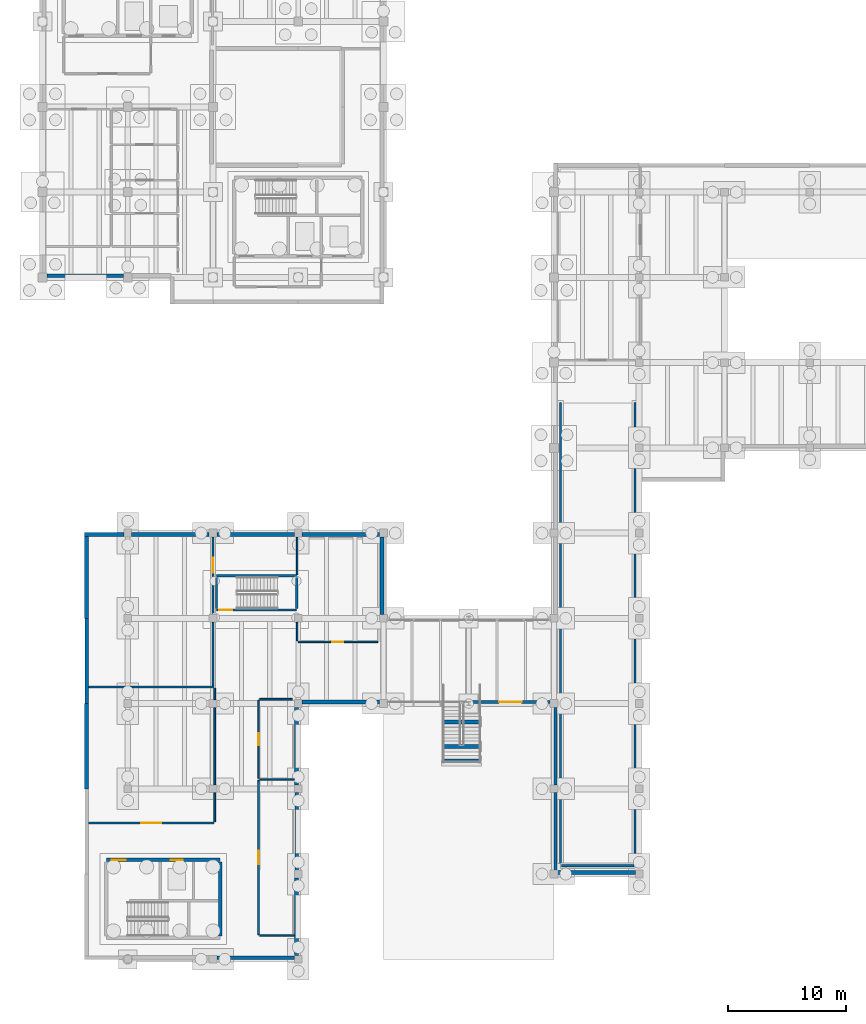
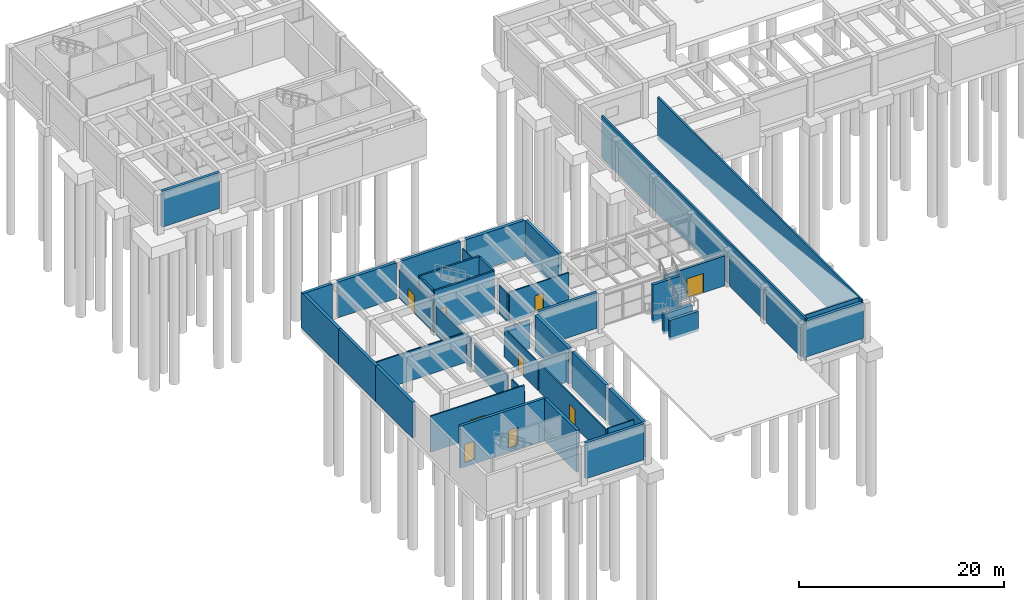
# One storey, part 17 of 28: 45 walls, 9 doors, 9 openings.
"""IFC4 building model written with IfcOpenShell, lengths in metres."""

from ifc_helpers import new_model, si_unit, direction, frame, frame_2d, origin, place, context, subcontext, project, spatial, rectangle, extrude, material, layer, layer_set, type_object, element, fill, save


model = new_model("IFC4")

# Units and contexts
model_context = context("Model", 3, precision=1e-05, world=origin(), true_north=direction((0.0, 1.0)))
body_context = subcontext(model_context, "Body", "Model", "MODEL_VIEW")
ifc_project = project(units=[si_unit("LENGTHUNIT", "METRE"), si_unit("AREAUNIT", "SQUARE_METRE"), si_unit("VOLUMEUNIT", "CUBIC_METRE"), si_unit("PLANEANGLEUNIT", "RADIAN"), si_unit("MASSUNIT", "GRAM", prefix="KILO")], contexts=[model_context])

# Site, building, storey
site_placement = place(None, origin())
site = spatial("IfcSite", under=ifc_project, at=site_placement, CompositionType="ELEMENT")
building_placement = place(site_placement, origin())
building = spatial("IfcBuilding", under=site, at=building_placement, Name="Bramvelor Terrace Health Centre", CompositionType="ELEMENT")
storey_placement = place(building_placement, frame((0.0, 0.0, -4.5)))
storey = spatial("IfcBuildingStorey", under=building, at=storey_placement, Name="B1", CompositionType="ELEMENT", Elevation=-4.5)

# Walls
ifc_material_1 = material(Name="Acoustic clinical partition board", Category="gypsum")
ifc_layer_1 = layer(ifc_material_1, 0.110107421875)
ifc_layer_set_1 = layer_set([ifc_layer_1], Name="Acoustic clinical partition board")
wall_type_1 = type_object("IfcWallType", Name="WL-CLN-110", PredefinedType="PARTITIONING", material=ifc_layer_set_1)
wall_1_placement = place(storey_placement, frame((21.284912109375, 30.800048828125, 0.0), z_axis=(0.0, 0.0, 1.0), x_axis=(-1.0, 0.0, 0.0)))
element("IfcWall", 1, at=wall_1_placement, inside=storey, type_object=wall_type_1, Name="B1 Interior Partition 36", PredefinedType="PARTITIONING", context=body_context, shape_type="SweptSolid", body=[
    extrude(rectangle(XDim=2.94482421875, YDim=0.110107421875, at=frame_2d((1.472412109375, 0.0))), origin(), (0.0, 0.0, 1.0), 3.550048828125),
])
ifc_material_2 = material(Name="Acoustic clinical partition board", Category="gypsum")
ifc_layer_2 = layer(ifc_material_2, 0.1201171875)
ifc_layer_set_2 = layer_set([ifc_layer_2], Name="Acoustic clinical partition board")
wall_type_2 = type_object("IfcWallType", Name="WL-CLN-120", PredefinedType="PARTITIONING", material=ifc_layer_set_2)
wall_2_placement = place(storey_placement, frame((18.342041015625, 44.0, 0.0), z_axis=(0.0, 0.0, 1.0), x_axis=(1.0, 0.0, 0.0)))
element("IfcWall", 2, at=wall_2_placement, inside=storey, type_object=wall_type_2, Name="B1 Interior Partition 35", PredefinedType="PARTITIONING", context=body_context, shape_type="SweptSolid", body=[
    extrude(rectangle(XDim=2.94287109375, YDim=0.1201171875, at=frame_2d((1.471435546875, 0.0))), origin(), (0.0, 0.0, 1.0), 3.550048828125),
])
ifc_material_3 = material(Name="Acoustic clinical partition board", Category="gypsum")
ifc_layer_3 = layer(ifc_material_3, 0.1298828125)
ifc_layer_set_3 = layer_set([ifc_layer_3], Name="Acoustic clinical partition board")
wall_type_3 = type_object("IfcWallType", Name="WL-CLN-130", PredefinedType="PARTITIONING", material=ifc_layer_set_3)
wall_3_placement = place(storey_placement, frame((21.5, 55.699951171875, 0.0), z_axis=(0.0, 0.0, 1.0), x_axis=(0.0, 1.0, 0.0)))
element("IfcWall", 3, at=wall_3_placement, inside=storey, type_object=wall_type_3, Name="B1 Interior Partition 40", PredefinedType="PARTITIONING", context=body_context, shape_type="SweptSolid", body=[
    extrude(rectangle(XDim=1.56005859375, YDim=0.1298828125, at=frame_2d((0.780029296875, 0.0))), origin(), (0.0, 0.0, 1.0), 3.39990234375),
])
wall_4_placement = place(storey_placement, frame((21.5, 61.29150390625, 0.0), z_axis=(0.0, 0.0, 1.0), x_axis=(0.0, 1.0, 0.0)))
element("IfcWall", 4, at=wall_4_placement, inside=storey, type_object=wall_type_3, Name="B1 Interior Partition 41", PredefinedType="PARTITIONING", context=body_context, shape_type="SweptSolid", body=[
    extrude(rectangle(XDim=3.158447265625, YDim=0.1298828125, at=frame_2d((1.5791015625, 0.0))), origin(), (0.0, 0.0, 1.0), 3.39990234375),
])

# Wall, opening, door
ifc_material_4 = material(Name="Fire-rated gypsum and mineral wool", Category="gypsum")
ifc_layer_4 = layer(ifc_material_4, 0.139892578125)
ifc_layer_set_4 = layer_set([ifc_layer_4], Name="Fire-rated gypsum and mineral wool")
wall_type_4 = type_object("IfcWallType", Name="WL-COR-140", PredefinedType="PARTITIONING", material=ifc_layer_set_4)
wall_5_placement = place(storey_placement, frame((18.25, 30.889892578125, 0.0), z_axis=(0.0, 0.0, 1.0), x_axis=(0.000150009374, 0.999999988749, 0.0)))
wall_5 = element("IfcWall", 5, at=wall_5_placement, inside=storey, type_object=wall_type_4, Name="B1 Interior Partition 34", PredefinedType="PARTITIONING", context=body_context, shape_type="SweptSolid", body=[
    extrude(rectangle(XDim=13.02001953125, YDim=0.139892578125, at=frame_2d((6.510009765625, 0.0))), origin(), (0.0, 0.0, 1.0), 3.39990234375),
])
opening_1_placement = place(wall_5_placement, frame((5.949951171875, 0.0, 0.0)))
opening_1 = element("IfcOpeningElement", 6, at=opening_1_placement, cuts=wall_5, Name="Opening FD-06", PredefinedType="OPENING", context=body_context, shape_type="SweptSolid", body=[
    extrude(rectangle(XDim=1.1201171875, YDim=2.139892578125, at=frame_2d((0.56005859375, 1.06982421875))), frame((0.0, 0.079833984375, 0.0), z_axis=(0.0, -1.0, 0.0), x_axis=(1.0, 0.0, 0.0)), (0.0, 0.0, 1.0), 0.159912109375),
])
ifc_material_5 = material(Name="Fire-rated steel and vision panel", Category="steel")
door_type_1 = type_object("IfcDoorType", Name="DR-FD60-112", OperationType="NOTDEFINED", PredefinedType="DOOR", material=ifc_material_5)
door_1_placement = place(opening_1_placement, origin())
door_1 = element("IfcDoor", 7, at=door_1_placement, inside=storey, type_object=door_type_1, Name="B1 Central Sterile Supply Decontamination Room Fire Door", OperationType="SINGLE_SWING_LEFT", OverallHeight=2.139892578125, OverallWidth=1.1201171875, PredefinedType="DOOR", context=body_context, shape_type="SweptSolid", body=[
    extrude(rectangle(XDim=1.1201171875, YDim=2.139892578125, at=frame_2d((0.56005859375, 1.06982421875))), frame((0.0, 0.02490234375, 0.0), z_axis=(0.0, -1.0, 0.0), x_axis=(1.0, 0.0, 0.0)), (0.0, 0.0, 1.0), 0.050048828125),
])
fill(opening_1, door_1)

wall_6_placement = place(storey_placement, frame((18.251953125, 44.10009765625, 0.0), z_axis=(0.0, 0.0, 1.0), x_axis=(0.0, 1.0, 0.0)))
wall_6 = element("IfcWall", 8, at=wall_6_placement, inside=storey, type_object=wall_type_4, Name="B1 Interior Partition 37", PredefinedType="PARTITIONING", context=body_context, shape_type="SweptSolid", body=[
    extrude(rectangle(XDim=6.56787109375, YDim=0.139892578125, at=frame_2d((3.283935546875, 0.0))), origin(), (0.0, 0.0, 1.0), 3.39990234375),
])
opening_2_placement = place(wall_6_placement, frame((2.763916015625, 0.0, 0.0)))
opening_2 = element("IfcOpeningElement", 9, at=opening_2_placement, cuts=wall_6, Name="Opening FD-07", PredefinedType="OPENING", context=body_context, shape_type="SweptSolid", body=[
    extrude(rectangle(XDim=1.0400390625, YDim=2.1201171875, at=frame_2d((0.52001953125, 1.06005859375))), frame((0.0, 0.079833984375, 0.0), z_axis=(0.0, -1.0, 0.0), x_axis=(1.0, 0.0, 0.0)), (0.0, 0.0, 1.0), 0.159912109375),
])
ifc_material_6 = material(Name="Fire-rated steel and vision panel", Category="steel")
door_type_2 = type_object("IfcDoorType", Name="DR-FD60-104", OperationType="NOTDEFINED", PredefinedType="DOOR", material=ifc_material_6)
door_2_placement = place(opening_2_placement, origin())
door_2 = element("IfcDoor", 10, at=door_2_placement, inside=storey, type_object=door_type_2, Name="B1 Sterile Autoclave and Instrument Packing Room Fire Door", OperationType="SINGLE_SWING_RIGHT", OverallHeight=2.1201171875, OverallWidth=1.0400390625, PredefinedType="DOOR", context=body_context, shape_type="SweptSolid", body=[
    extrude(rectangle(XDim=1.0400390625, YDim=2.1201171875, at=frame_2d((0.52001953125, 1.06005859375))), frame((0.0, 0.02490234375, 0.0), z_axis=(0.0, -1.0, 0.0), x_axis=(1.0, 0.0, 0.0)), (0.0, 0.0, 1.0), 0.050048828125),
])
fill(opening_2, door_2)

# Wall
wall_7_placement = place(storey_placement, frame((18.342041015625, 50.758056640625, 0.0), z_axis=(0.0, 0.0, 1.0), x_axis=(1.0, 0.0, 0.0)))
element("IfcWall", 11, at=wall_7_placement, inside=storey, type_object=wall_type_4, Name="B1 Interior Partition 38", PredefinedType="PARTITIONING", context=body_context, shape_type="SweptSolid", body=[
    extrude(rectangle(XDim=2.76806640625, YDim=0.139892578125, at=frame_2d((1.384033203125, 0.0))), origin(), (0.0, 0.0, 1.0), 3.39990234375),
])

# Wall, opening, door
wall_8_placement = place(storey_placement, frame((28.31005859375, 55.610107421875, 0.0), z_axis=(0.0, 0.0, 1.0), x_axis=(-1.0, 0.0, 0.0)))
wall_8 = element("IfcWall", 12, at=wall_8_placement, inside=storey, type_object=wall_type_4, Name="B1 Interior Partition 39", PredefinedType="PARTITIONING", context=body_context, shape_type="SweptSolid", body=[
    extrude(rectangle(XDim=6.719970703125, YDim=0.139892578125, at=frame_2d((3.35986328125, 0.0))), origin(), (0.0, 0.0, 1.0), 3.550048828125),
])
opening_3_placement = place(wall_8_placement, frame((2.889892578125, 0.0, 0.0)))
opening_3 = element("IfcOpeningElement", 13, at=opening_3_placement, cuts=wall_8, Name="Opening FD-08", PredefinedType="OPENING", context=body_context, shape_type="SweptSolid", body=[
    extrude(rectangle(XDim=0.93994140625, YDim=2.10009765625, at=frame_2d((0.469970703125, 1.050048828125))), frame((0.0, 0.079833984375, 0.0), z_axis=(0.0, -1.0, 0.0), x_axis=(1.0, 0.0, 0.0)), (0.0, 0.0, 1.0), 0.159912109375),
])
ifc_material_7 = material(Name="Fire-rated steel and vision panel", Category="steel")
door_type_3 = type_object("IfcDoorType", Name="DR-FD60-094", OperationType="NOTDEFINED", PredefinedType="DOOR", material=ifc_material_7)
door_3_placement = place(opening_3_placement, origin())
door_3 = element("IfcDoor", 14, at=door_3_placement, inside=storey, type_object=door_type_3, Name="B1 Bulk Pharmacy Cold-Chain Store Fire Door", OperationType="SINGLE_SWING_LEFT", OverallHeight=2.10009765625, OverallWidth=0.93994140625, PredefinedType="DOOR", context=body_context, shape_type="SweptSolid", body=[
    extrude(rectangle(XDim=0.93994140625, YDim=2.10009765625, at=frame_2d((0.469970703125, 1.050048828125))), frame((0.0, 0.02490234375, 0.0), z_axis=(0.0, -1.0, 0.0), x_axis=(1.0, 0.0, 0.0)), (0.0, 0.0, 1.0), 0.050048828125),
])
fill(opening_3, door_3)

ifc_material_8 = material(Name="Concrete C40/50", Category="concrete")
ifc_layer_5 = layer(ifc_material_8, 0.199951171875)
ifc_layer_set_5 = layer_set([ifc_layer_5], Name="Concrete C40/50")
wall_type_5 = type_object("IfcWallType", Name="WL-CORE-200", PredefinedType="SHEAR", material=ifc_layer_set_5)
wall_9_placement = place(storey_placement, frame((14.699951171875, 58.300048828125, -0.5), z_axis=(0.0, 0.0, 1.0), x_axis=(1.0, 0.0, 0.0)))
wall_9 = element("IfcWall", 15, at=wall_9_placement, inside=storey, type_object=wall_type_5, Name="ST-6 B1 Stair Shaft Wall", PredefinedType="SHEAR", context=body_context, shape_type="SweptSolid", body=[
    extrude(rectangle(XDim=6.775146484375, YDim=0.199951171875, at=frame_2d((3.3876953125, 0.0))), origin(), (0.0, 0.0, 1.0), 5.0),
])
opening_4_placement = place(wall_9_placement, frame((0.219970703125, 0.0, 0.5)))
opening_4 = element("IfcOpeningElement", 16, at=opening_4_placement, cuts=wall_9, Name="Opening FD-06", PredefinedType="OPENING", context=body_context, shape_type="SweptSolid", body=[
    extrude(rectangle(XDim=1.1201171875, YDim=2.139892578125, at=frame_2d((0.56005859375, 1.06982421875))), frame((0.0, 0.10986328125, 0.0), z_axis=(0.0, -1.0, 0.0), x_axis=(1.0, 0.0, 0.0)), (0.0, 0.0, 1.0), 0.219970703125),
])
door_4_placement = place(opening_4_placement, origin())
door_4 = element("IfcDoor", 17, at=door_4_placement, inside=storey, type_object=door_type_1, Name="ST-6 B1 Exit Stair Fire Door", OperationType="SINGLE_SWING_LEFT", OverallHeight=2.139892578125, OverallWidth=1.1201171875, PredefinedType="DOOR", context=body_context, shape_type="SweptSolid", body=[
    extrude(rectangle(XDim=1.1201171875, YDim=2.139892578125, at=frame_2d((0.56005859375, 1.06982421875))), frame((0.0, 0.02490234375, 0.0), z_axis=(0.0, -1.0, 0.0), x_axis=(1.0, 0.0, 0.0)), (0.0, 0.0, 1.0), 0.050048828125),
])
fill(opening_4, door_4)

# Walls
wall_10_placement = place(storey_placement, frame((14.699951171875, 61.199951171875, -0.5), z_axis=(0.0, 0.0, 1.0), x_axis=(1.0, 0.0, 0.0)))
element("IfcWall", 18, at=wall_10_placement, inside=storey, type_object=wall_type_5, Name="ST-6 B1 Stair Shaft Wall", PredefinedType="SHEAR", context=body_context, shape_type="SweptSolid", body=[
    extrude(rectangle(XDim=6.775146484375, YDim=0.199951171875, at=frame_2d((3.3876953125, 0.0))), origin(), (0.0, 0.0, 1.0), 5.0),
])
for number, where, z_axis, x_axis, name in (
    (19, (14.699951171875, 58.449951171875, -0.5), (0.0, 0.0, 1.0), (0.0, 1.0, 0.0), "ST-6 B1 Stair Shaft Wall"),
    (20, (21.47509765625, 58.449951171875, -0.5), (0.0, 0.0, 1.0), (0.0, 1.0, 0.0), "ST-6 B1 Stair Shaft Wall"),
):
    element("IfcWall", number, at=place(storey_placement, frame(where, z_axis=z_axis, x_axis=x_axis)), inside=storey, type_object=wall_type_5, Name=name, PredefinedType="SHEAR", context=body_context, shape_type="SweptSolid", body=[
        extrude(rectangle(XDim=2.60009765625, YDim=0.199951171875, at=frame_2d((1.300048828125, 0.0))), origin(), (0.0, 0.0, 1.0), 5.0),
    ])

# Wall, openings, doors
ifc_material_9 = material(Name="Concrete C40/50", Category="concrete")
ifc_layer_6 = layer(ifc_material_9, 0.300048828125)
ifc_layer_set_6 = layer_set([ifc_layer_6], Name="Concrete C40/50")
wall_type_6 = type_object("IfcWallType", Name="WL-CORE-300", PredefinedType="SHEAR", material=ifc_layer_set_6)
wall_11_placement = place(storey_placement, frame((5.39990234375, 37.199951171875, -0.5), z_axis=(0.0, 0.0, 1.0), x_axis=(1.0, 0.0, 0.0)))
wall_11 = element("IfcWall", 21, at=wall_11_placement, inside=storey, type_object=wall_type_6, Name="C3 B1 Core Shear Wall", PredefinedType="SHEAR", context=body_context, shape_type="SweptSolid", body=[
    extrude(rectangle(XDim=9.60009765625, YDim=0.300048828125, at=frame_2d((4.800048828125, 0.0))), origin(), (0.0, 0.0, 1.0), 5.0),
])
opening_5_placement = place(wall_11_placement, frame((0.449951171875, 0.0, 0.5)))
opening_5 = element("IfcOpeningElement", 22, at=opening_5_placement, cuts=wall_11, Name="Opening FD-02", PredefinedType="OPENING", context=body_context, shape_type="SweptSolid", body=[
    extrude(rectangle(XDim=1.179931640625, YDim=2.159912109375, at=frame_2d((0.58984375, 1.080078125))), frame((0.0, 0.159912109375, 0.0), z_axis=(0.0, -1.0, 0.0), x_axis=(1.0, 0.0, 0.0)), (0.0, 0.0, 1.0), 0.320068359375),
])
opening_6_placement = place(wall_11_placement, frame((5.43994140625, 0.0, 0.5)))
opening_6 = element("IfcOpeningElement", 23, at=opening_6_placement, cuts=wall_11, Name="Opening LD-2", PredefinedType="OPENING", context=body_context, shape_type="SweptSolid", body=[
    extrude(rectangle(XDim=1.02001953125, YDim=2.1201171875, at=frame_2d((0.510009765625, 1.06005859375))), frame((0.0, 0.159912109375, 0.0), z_axis=(0.0, -1.0, 0.0), x_axis=(1.0, 0.0, 0.0)), (0.0, 0.0, 1.0), 0.320068359375),
])
ifc_material_10 = material(Name="Fire-rated steel and vision panel", Category="steel")
door_type_4 = type_object("IfcDoorType", Name="DR-FD90-118", OperationType="NOTDEFINED", PredefinedType="DOOR", material=ifc_material_10)
door_5_placement = place(opening_5_placement, origin())
door_5 = element("IfcDoor", 24, at=door_5_placement, inside=storey, type_object=door_type_4, Name="C3 B1 Core Stair Fire Door", OperationType="SINGLE_SWING_LEFT", OverallHeight=2.159912109375, OverallWidth=1.179931640625, PredefinedType="DOOR", context=body_context, shape_type="SweptSolid", body=[
    extrude(rectangle(XDim=1.179931640625, YDim=2.159912109375, at=frame_2d((0.58984375, 1.080078125))), frame((0.0, 0.02490234375, 0.0), z_axis=(0.0, -1.0, 0.0), x_axis=(1.0, 0.0, 0.0)), (0.0, 0.0, 1.0), 0.050048828125),
])
fill(opening_5, door_5)
ifc_material_11 = material(Name="Brushed stainless steel 316", Category="steel")
door_type_5 = type_object("IfcDoorType", Name="DR-LIFT-PS102", OperationType="SLIDING_TO_LEFT", PredefinedType="DOOR", material=ifc_material_11)
door_6_placement = place(opening_6_placement, origin())
door_6 = element("IfcDoor", 25, at=door_6_placement, inside=storey, type_object=door_type_5, Name="Lift LP-03 B1 Sliding Landing Door", OperationType="SLIDING_TO_LEFT", OverallHeight=2.1201171875, OverallWidth=1.02001953125, PredefinedType="DOOR", context=body_context, shape_type="SweptSolid", body=[
    extrude(rectangle(XDim=1.02001953125, YDim=2.1201171875, at=frame_2d((0.510009765625, 1.06005859375))), frame((0.0, 0.02490234375, 0.0), z_axis=(0.0, -1.0, 0.0), x_axis=(1.0, 0.0, 0.0)), (0.0, 0.0, 1.0), 0.050048828125),
])
fill(opening_6, door_6)

# Walls
wall_12_placement = place(storey_placement, frame((15.0, 30.780029296875, -0.5), z_axis=(0.0, 0.0, 1.0), x_axis=(0.0, 1.0, 0.0)))
element("IfcWall", 26, at=wall_12_placement, inside=storey, type_object=wall_type_6, Name="C3 B1 Core Shear Wall", PredefinedType="SHEAR", context=body_context, shape_type="SweptSolid", body=[
    extrude(rectangle(XDim=6.239990234375, YDim=0.300048828125, at=frame_2d((3.1201171875, 0.0))), origin(), (0.0, 0.0, 1.0), 5.0),
])
ifc_material_12 = material(Name="Precast concrete C40/50", Category="concrete")
ifc_layer_7 = layer(ifc_material_12, 0.25)
ifc_layer_set_7 = layer_set([ifc_layer_7], Name="Precast concrete C40/50")
wall_type_7 = type_object("IfcWallType", Name="WL-EXT-RC250", PredefinedType="SOLIDWALL", material=ifc_layer_set_7)
wall_13_placement = place(storey_placement, frame((43.330078125, 36.320068359375, 0.0), z_axis=(0.0, 0.0, 1.0), x_axis=(0.0, 1.0, 0.0)))
element("IfcWall", 27, at=wall_13_placement, inside=storey, type_object=wall_type_7, Name="B1 Exterior Facade Wall 37", PredefinedType="SOLIDWALL", context=body_context, shape_type="SweptSolid", body=[
    extrude(rectangle(XDim=6.559814453125, YDim=0.25, at=frame_2d((3.27978515625, 0.0))), origin(), (0.0, 0.0, 1.0), 3.39990234375),
])

# Wall, opening, door
wall_14_placement = place(storey_placement, frame((42.8798828125, 50.530029296875, 0.0), z_axis=(0.0, 0.0, 1.0), x_axis=(-1.0, 0.0, 0.0)))
wall_14 = element("IfcWall", 28, at=wall_14_placement, inside=storey, type_object=wall_type_7, Name="B1 Exterior Facade Wall 39", PredefinedType="SOLIDWALL", context=body_context, shape_type="SweptSolid", body=[
    extrude(rectangle(XDim=6.731201171875, YDim=0.25, at=frame_2d((3.36572265625, 0.0))), origin(), (0.0, 0.0, 1.0), 3.550048828125),
])
opening_7_placement = place(wall_14_placement, frame((2.415771484375, 0.0, 0.0)))
opening_7 = element("IfcOpeningElement", 29, at=opening_7_placement, cuts=wall_14, Name="Opening ED-08", PredefinedType="OPENING", context=body_context, shape_type="SweptSolid", body=[
    extrude(rectangle(XDim=1.89990234375, YDim=2.300048828125, at=frame_2d((0.949951171875, 1.14990234375))), frame((0.0, 0.135009765625, 0.0), z_axis=(0.0, -1.0, 0.0), x_axis=(1.0, 0.0, 0.0)), (0.0, 0.0, 1.0), 0.27001953125),
])
ifc_material_13 = material(Name="Anodized aluminium and laminated glass", Category="aluminium")
door_type_6 = type_object("IfcDoorType", Name="DR-EXT-TER-190", OperationType="DOUBLE_DOOR_SINGLE_SWING", PredefinedType="DOOR", material=ifc_material_13)
door_7_placement = place(opening_7_placement, origin())
door_7 = element("IfcDoor", 30, at=door_7_placement, inside=storey, type_object=door_type_6, Name="B1 Exterior Door 1", OperationType="DOUBLE_DOOR_SINGLE_SWING", OverallHeight=2.300048828125, OverallWidth=1.89990234375, PredefinedType="DOOR", context=body_context, shape_type="SweptSolid", body=[
    extrude(rectangle(XDim=1.89990234375, YDim=2.300048828125, at=frame_2d((0.949951171875, 1.14990234375))), frame((0.0, 0.02490234375, 0.0), z_axis=(0.0, -1.0, 0.0), x_axis=(1.0, 0.0, 0.0)), (0.0, 0.0, 1.0), 0.050048828125),
])
fill(opening_7, door_7)

# Walls
ifc_material_14 = material(Name="Precast concrete C40/50", Category="concrete")
ifc_layer_8 = layer(ifc_material_14, 0.280029296875)
ifc_layer_set_8 = layer_set([ifc_layer_8], Name="Precast concrete C40/50")
wall_type_8 = type_object("IfcWallType", Name="WL-EXT-RC280", PredefinedType="SOLIDWALL", material=ifc_layer_set_8)
wall_15_placement = place(storey_placement, frame((43.330078125, 43.52001953125, 0.0), z_axis=(0.0, 0.0, 1.0), x_axis=(0.0, 1.0, 0.0)))
element("IfcWall", 31, at=wall_15_placement, inside=storey, type_object=wall_type_8, Name="B1 Exterior Facade Wall 38", PredefinedType="SOLIDWALL", context=body_context, shape_type="SweptSolid", body=[
    extrude(rectangle(XDim=6.56005859375, YDim=0.280029296875, at=frame_2d((3.280029296875, 0.0))), origin(), (0.0, 0.0, 1.0), 3.550048828125),
])
ifc_material_15 = material(Name="Fire-rated gypsum and mineral wool", Category="gypsum")
ifc_layer_9 = layer(ifc_material_15, 0.14990234375)
ifc_layer_set_9 = layer_set([ifc_layer_9], Name="Fire-rated gypsum and mineral wool")
wall_type_9 = type_object("IfcWallType", Name="WL-FIR-150", PredefinedType="PARTITIONING", material=ifc_layer_set_9)
wall_16_placement = place(storey_placement, frame((3.89990234375, 51.800048828125, 0.0), z_axis=(0.0, 0.0, 1.0), x_axis=(1.0, 0.0, 0.0)))
element("IfcWall", 32, at=wall_16_placement, inside=storey, type_object=wall_type_9, Name="B1 Interior Partition 27", PredefinedType="PARTITIONING", context=body_context, shape_type="SweptSolid", body=[
    extrude(rectangle(XDim=10.568115234375, YDim=0.14990234375, at=frame_2d((5.2841796875, 0.0))), origin(), (0.0, 0.0, 1.0), 3.550048828125),
])
wall_17_placement = place(storey_placement, frame((14.55810546875, 51.7099609375, 0.0), z_axis=(0.0, 0.0, 1.0), x_axis=(0.0, -1.0, 0.0)))
element("IfcWall", 33, at=wall_17_placement, inside=storey, type_object=wall_type_9, Name="B1 Interior Partition 28", PredefinedType="PARTITIONING", context=body_context, shape_type="SweptSolid", body=[
    extrude(rectangle(XDim=0.969970703125, YDim=0.14990234375, at=frame_2d((0.48486328125, 0.0))), origin(), (0.0, 0.0, 1.0), 3.39990234375),
])
wall_18_placement = place(storey_placement, frame((14.55810546875, 50.06005859375, 0.0), z_axis=(0.0, 0.0, 1.0), x_axis=(0.0, -1.0, 0.0)))
element("IfcWall", 34, at=wall_18_placement, inside=storey, type_object=wall_type_9, Name="B1 Interior Partition 29", PredefinedType="PARTITIONING", context=body_context, shape_type="SweptSolid", body=[
    extrude(rectangle(XDim=6.52001953125, YDim=0.14990234375, at=frame_2d((3.260009765625, 0.0))), origin(), (0.0, 0.0, 1.0), 3.39990234375),
])
wall_19_placement = place(storey_placement, frame((14.55810546875, 42.860107421875, 0.0), z_axis=(0.0, 0.0, 1.0), x_axis=(0.0, -1.0, 0.0)))
element("IfcWall", 35, at=wall_19_placement, inside=storey, type_object=wall_type_9, Name="B1 Interior Partition 30", PredefinedType="PARTITIONING", context=body_context, shape_type="SweptSolid", body=[
    extrude(rectangle(XDim=2.460205078125, YDim=0.14990234375, at=frame_2d((1.22998046875, 0.0))), origin(), (0.0, 0.0, 1.0), 3.39990234375),
])

# Wall, opening, door
wall_20_placement = place(storey_placement, frame((14.468017578125, 40.31005859375, 0.0), z_axis=(0.0, 0.0, 1.0), x_axis=(-1.0, 0.0, 0.0)))
wall_20 = element("IfcWall", 36, at=wall_20_placement, inside=storey, type_object=wall_type_9, Name="B1 Interior Partition 31", PredefinedType="PARTITIONING", context=body_context, shape_type="SweptSolid", body=[
    extrude(rectangle(XDim=10.568115234375, YDim=0.14990234375, at=frame_2d((5.2841796875, 0.0))), origin(), (0.0, 0.0, 1.0), 4.27001953125),
])
opening_8_placement = place(wall_20_placement, frame((4.424072265625, 0.0, 0.0)))
opening_8 = element("IfcOpeningElement", 37, at=opening_8_placement, cuts=wall_20, Name="Opening FD-04", PredefinedType="OPENING", context=body_context, shape_type="SweptSolid", body=[
    extrude(rectangle(XDim=1.719970703125, YDim=2.260009765625, at=frame_2d((0.85986328125, 1.1298828125))), frame((0.0, 0.0849609375, 0.0), z_axis=(0.0, -1.0, 0.0), x_axis=(1.0, 0.0, 0.0)), (0.0, 0.0, 1.0), 0.169921875),
])
ifc_material_16 = material(Name="Fire-rated steel and vision panel", Category="steel")
door_type_7 = type_object("IfcDoorType", Name="DR-FD90-172", OperationType="DOUBLE_DOOR_SINGLE_SWING", PredefinedType="DOOR", material=ifc_material_16)
door_8_placement = place(opening_8_placement, origin())
door_8 = element("IfcDoor", 38, at=door_8_placement, inside=storey, type_object=door_type_7, Name="B1 Central Chiller and Heat-Pump Plant Room Fire Door", OperationType="DOUBLE_DOOR_SINGLE_SWING", OverallHeight=2.260009765625, OverallWidth=1.719970703125, PredefinedType="DOOR", context=body_context, shape_type="SweptSolid", body=[
    extrude(rectangle(XDim=1.719970703125, YDim=2.260009765625, at=frame_2d((0.85986328125, 1.1298828125))), frame((0.0, 0.02490234375, 0.0), z_axis=(0.0, -1.0, 0.0), x_axis=(1.0, 0.0, 0.0)), (0.0, 0.0, 1.0), 0.050048828125),
])
fill(opening_8, door_8)

wall_21_placement = place(storey_placement, frame((14.39990234375, 64.449951171875, 0.0), z_axis=(0.0, 0.0, 1.0), x_axis=(0.0, -1.0, 0.0)))
wall_21 = element("IfcWall", 39, at=wall_21_placement, inside=storey, type_object=wall_type_9, Name="B1 Interior Partition 32", PredefinedType="PARTITIONING", context=body_context, shape_type="SweptSolid", body=[
    extrude(rectangle(XDim=6.510009765625, YDim=0.14990234375, at=frame_2d((3.2548828125, 0.0))), origin(), (0.0, 0.0, 1.0), 3.39990234375),
])
opening_9_placement = place(wall_21_placement, frame((1.715087890625, 0.0, 0.0)))
opening_9 = element("IfcOpeningElement", 40, at=opening_9_placement, cuts=wall_21, Name="Opening FD-01", PredefinedType="OPENING", context=body_context, shape_type="SweptSolid", body=[
    extrude(rectangle(XDim=1.280029296875, YDim=2.179931640625, at=frame_2d((0.64013671875, 1.08984375))), frame((0.0, 0.0849609375, 0.0), z_axis=(0.0, -1.0, 0.0), x_axis=(1.0, 0.0, 0.0)), (0.0, 0.0, 1.0), 0.169921875),
])
ifc_material_17 = material(Name="Fire-rated steel and vision panel", Category="steel")
door_type_8 = type_object("IfcDoorType", Name="DR-FD90-128", OperationType="NOTDEFINED", PredefinedType="DOOR", material=ifc_material_17)
door_9_placement = place(opening_9_placement, origin())
door_9 = element("IfcDoor", 41, at=door_9_placement, inside=storey, type_object=door_type_8, Name="B1 Medical Gas Manifold Plant Room Fire Door", OperationType="SINGLE_SWING_RIGHT", OverallHeight=2.179931640625, OverallWidth=1.280029296875, PredefinedType="DOOR", context=body_context, shape_type="SweptSolid", body=[
    extrude(rectangle(XDim=1.280029296875, YDim=2.179931640625, at=frame_2d((0.64013671875, 1.08984375))), frame((0.0, 0.02490234375, 0.0), z_axis=(0.0, -1.0, 0.0), x_axis=(1.0, 0.0, 0.0)), (0.0, 0.0, 1.0), 0.050048828125),
])
fill(opening_9, door_9)

# Walls
wall_22_placement = place(storey_placement, frame((14.39990234375, 57.260009765625, 0.0), z_axis=(0.0, 0.0, 1.0), x_axis=(0.0, -1.0, 0.0)))
element("IfcWall", 42, at=wall_22_placement, inside=storey, type_object=wall_type_9, Name="B1 Interior Partition 33", PredefinedType="PARTITIONING", context=body_context, shape_type="SweptSolid", body=[
    extrude(rectangle(XDim=5.360107421875, YDim=0.14990234375, at=frame_2d((2.68017578125, 0.0))), origin(), (0.0, 0.0, 1.0), 3.39990234375),
])
ifc_material_18 = material(Name="Concrete C40/50", Category="concrete")
ifc_layer_10 = layer(ifc_material_18, 0.320068359375)
ifc_layer_set_10 = layer_set([ifc_layer_10], Name="Concrete C40/50")
wall_type_10 = type_object("IfcWallType", Name="WL-RET-320", PredefinedType="SOLIDWALL", material=ifc_layer_set_10)
wall_23_placement = place(storey_placement, frame((3.56005859375, 64.669921875, 0.0), z_axis=(0.0, 0.0, 1.0), x_axis=(1.0, 0.0, 0.0)))
element("IfcWall", 43, at=wall_23_placement, inside=storey, type_object=wall_type_10, Name="B1 Perimeter Basement Retaining Wall 1", PredefinedType="SOLIDWALL", context=body_context, shape_type="SweptSolid", body=[
    extrude(rectangle(XDim=3.31982421875, YDim=0.320068359375, at=frame_2d((1.659912109375, 0.0))), origin(), (0.0, 0.0, 1.0), 4.25),
])
for number, where, z_axis, x_axis, name in (
    (44, (14.719970703125, 64.669921875, 0.0), (0.0, 0.0, 1.0), (1.0, 0.0, 0.0), "B1 Perimeter Basement Retaining Wall 3"),
    (45, (28.669921875, 64.47998046875, 0.0), (0.0, 0.0, 1.0), (0.0, -1.0, 0.0), "B1 Perimeter Basement Retaining Wall 5"),
    (46, (28.47998046875, 50.530029296875, 0.0), (0.0, 0.0, 1.0), (-1.0, 0.0, 0.0), "B1 Perimeter Basement Retaining Wall 41"),
):
    element("IfcWall", number, at=place(storey_placement, frame(where, z_axis=z_axis, x_axis=x_axis)), inside=storey, type_object=wall_type_10, Name=name, PredefinedType="SOLIDWALL", context=body_context, shape_type="SweptSolid", body=[
        extrude(rectangle(XDim=6.56005859375, YDim=0.320068359375, at=frame_2d((3.280029296875, 0.0))), origin(), (0.0, 0.0, 1.0), 4.25),
    ])
wall_24_placement = place(storey_placement, frame((21.469970703125, 42.8798828125, 0.0), z_axis=(0.0, 0.0, 1.0), x_axis=(0.0, -1.0, 0.0)))
element("IfcWall", 47, at=wall_24_placement, inside=storey, type_object=wall_type_10, Name="B1 Perimeter Basement Retaining Wall 43", PredefinedType="SOLIDWALL", context=body_context, shape_type="SweptSolid", body=[
    extrude(rectangle(XDim=6.559814453125, YDim=0.320068359375, at=frame_2d((3.27978515625, 0.0))), origin(), (0.0, 0.0, 1.0), 4.25),
])
wall_25_placement = place(storey_placement, frame((21.280029296875, 28.929931640625, 0.0), z_axis=(0.0, 0.0, 1.0), x_axis=(-1.0, 0.0, 0.0)))
element("IfcWall", 48, at=wall_25_placement, inside=storey, type_object=wall_type_10, Name="B1 Perimeter Basement Retaining Wall 45", PredefinedType="SOLIDWALL", context=body_context, shape_type="SweptSolid", body=[
    extrude(rectangle(XDim=6.56005859375, YDim=0.320068359375, at=frame_2d((3.280029296875, 0.0))), origin(), (0.0, 0.0, 1.0), 4.25),
])
wall_26_placement = place(storey_placement, frame((3.72998046875, 50.39990234375, 0.0), z_axis=(0.0, 0.0, 1.0), x_axis=(0.0, 1.0, 0.0)))
element("IfcWall", 49, at=wall_26_placement, inside=storey, type_object=wall_type_10, Name="B1 Perimeter Basement Retaining Wall 51", PredefinedType="SOLIDWALL", context=body_context, shape_type="SweptSolid", body=[
    extrude(rectangle(XDim=7.2001953125, YDim=0.320068359375, at=frame_2d((3.60009765625, 0.0))), origin(), (0.0, 0.0, 1.0), 4.25),
])
wall_27_placement = place(storey_placement, frame((6.830078125, 86.530029296875, 0.0), z_axis=(0.0, 0.0, 1.0), x_axis=(-1.0, 0.0, 0.0)))
element("IfcWall", 50, at=wall_27_placement, inside=storey, type_object=wall_type_10, Name="B1 Perimeter Basement Retaining Wall 63", PredefinedType="SOLIDWALL", context=body_context, shape_type="SweptSolid", body=[
    extrude(rectangle(XDim=6.4599609375, YDim=0.320068359375, at=frame_2d((3.22998046875, 0.0))), origin(), (0.0, 0.0, 1.0), 4.25),
])
for number, where, z_axis, x_axis, name in (
    (51, (33.800048828125, 45.570068359375, -0.320068359375), (0.0, 0.0, 1.0), (1.0, 0.0, 0.0), "Forecourt Stair FAR Support Wall"),
    (52, (33.800048828125, 46.77001953125, -0.320068359375), (0.0, 0.0, 1.0), (1.0, 0.0, 0.0), "Forecourt Stair MID Support Wall"),
):
    element("IfcWall", number, at=place(storey_placement, frame(where, z_axis=z_axis, x_axis=x_axis)), inside=storey, type_object=wall_type_10, Name=name, PredefinedType="SOLIDWALL", context=body_context, shape_type="SweptSolid", body=[
        extrude(rectangle(XDim=3.199951171875, YDim=0.320068359375, at=frame_2d((1.60009765625, 0.0))), origin(), (0.0, 0.0, 1.0), 2.3701171875),
    ])
wall_28_placement = place(storey_placement, frame((33.800048828125, 48.85009765625, -0.320068359375), z_axis=(0.0, 0.0, 1.0), x_axis=(1.0, 0.0, 0.0)))
element("IfcWall", 53, at=wall_28_placement, inside=storey, type_object=wall_type_10, Name="Forecourt Stair TOP Support Wall", PredefinedType="SOLIDWALL", context=body_context, shape_type="SweptSolid", body=[
    extrude(rectangle(XDim=3.199951171875, YDim=0.320068359375, at=frame_2d((1.60009765625, 0.0))), origin(), (0.0, 0.0, 1.0), 4.6201171875),
])
ifc_material_19 = material(Name="Concrete C40/50", Category="concrete")
ifc_layer_11 = layer(ifc_material_19, 0.35009765625)
ifc_layer_set_11 = layer_set([ifc_layer_11], Name="Concrete C40/50")
wall_type_11 = type_object("IfcWallType", Name="WL-RET-350", PredefinedType="SOLIDWALL", material=ifc_layer_set_11)
for number, where, z_axis, x_axis, name in (
    (54, (7.52001953125, 64.669921875, 0.0), (0.0, 0.0, 1.0), (1.0, 0.0, 0.0), "B1 Perimeter Basement Retaining Wall 2"),
    (55, (21.919921875, 64.669921875, 0.0), (0.0, 0.0, 1.0), (1.0, 0.0, 0.0), "B1 Perimeter Basement Retaining Wall 4"),
    (56, (50.080078125, 36.1298828125, 0.0), (0.0, 0.0, 1.0), (-1.0, 0.0, 0.0), "B1 Perimeter Basement Retaining Wall 36"),
    (57, (21.469970703125, 50.080078125, 0.0), (0.0, 0.0, 1.0), (0.0, -1.0, 0.0), "B1 Perimeter Basement Retaining Wall 42"),
):
    element("IfcWall", number, at=place(storey_placement, frame(where, z_axis=z_axis, x_axis=x_axis)), inside=storey, type_object=wall_type_11, Name=name, PredefinedType="SOLIDWALL", context=body_context, shape_type="SweptSolid", body=[
        extrude(rectangle(XDim=6.56005859375, YDim=0.35009765625, at=frame_2d((3.280029296875, 0.0))), origin(), (0.0, 0.0, 1.0), 4.25),
    ])
wall_29_placement = place(storey_placement, frame((21.469970703125, 35.679931640625, 0.0), z_axis=(0.0, 0.0, 1.0), x_axis=(0.0, -1.0, 0.0)))
element("IfcWall", 58, at=wall_29_placement, inside=storey, type_object=wall_type_11, Name="B1 Perimeter Basement Retaining Wall 44", PredefinedType="SOLIDWALL", context=body_context, shape_type="SweptSolid", body=[
    extrude(rectangle(XDim=6.559814453125, YDim=0.35009765625, at=frame_2d((3.27978515625, 0.0))), origin(), (0.0, 0.0, 1.0), 4.25),
])
wall_30_placement = place(storey_placement, frame((3.72998046875, 43.199951171875, 0.0), z_axis=(0.0, 0.0, 1.0), x_axis=(0.0, 1.0, 0.0)))
element("IfcWall", 59, at=wall_30_placement, inside=storey, type_object=wall_type_11, Name="B1 Perimeter Basement Retaining Wall 50", PredefinedType="SOLIDWALL", context=body_context, shape_type="SweptSolid", body=[
    extrude(rectangle(XDim=7.199951171875, YDim=0.35009765625, at=frame_2d((3.60009765625, 0.0))), origin(), (0.0, 0.0, 1.0), 4.25),
])
wall_31_placement = place(storey_placement, frame((3.72998046875, 57.60009765625, 0.0), z_axis=(0.0, 0.0, 1.0), x_axis=(0.0, 1.0, 0.0)))
element("IfcWall", 60, at=wall_31_placement, inside=storey, type_object=wall_type_11, Name="B1 Perimeter Basement Retaining Wall 52", PredefinedType="SOLIDWALL", context=body_context, shape_type="SweptSolid", body=[
    extrude(rectangle(XDim=7.219970703125, YDim=0.35009765625, at=frame_2d((3.60986328125, 0.0))), origin(), (0.0, 0.0, 1.0), 4.25),
])
ifc_material_20 = material(Name="Concrete C40/50", Category="concrete")
ifc_layer_12 = layer(ifc_material_20, 0.199951171875)
ifc_layer_set_12 = layer_set([ifc_layer_12], Name="Concrete C40/50")
wall_type_12 = type_object("IfcWallType", Name="WL-VR01-200", PredefinedType="SHEAR", material=ifc_layer_set_12)
for number, where, z_axis, x_axis, name in (
    (61, (43.75, 36.1298828125, -0.5), (0.0, 0.0, 1.0), (0.0, 1.0, 0.0), "B1 Vehicle Ramp West Shaft Wall"),
    (62, (50.050048828125, 36.1298828125, -0.5), (0.0, 0.0, 1.0), (0.0, 1.0, 0.0), "B1 Vehicle Ramp East Shaft Wall"),
):
    element("IfcWall", number, at=place(storey_placement, frame(where, z_axis=z_axis, x_axis=x_axis)), inside=storey, type_object=wall_type_12, Name=name, PredefinedType="SHEAR", context=body_context, shape_type="SweptSolid", body=[
        extrude(rectangle(XDim=39.72021484375, YDim=0.199951171875, at=frame_2d((19.860107421875, 0.0))), origin(), (0.0, 0.0, 1.0), 5.0),
    ])
wall_32_placement = place(storey_placement, frame((43.85009765625, 36.699951171875, -0.5), z_axis=(0.0, 0.0, 1.0), x_axis=(1.0, 0.0, 0.0)))
element("IfcWall", 63, at=wall_32_placement, inside=storey, type_object=wall_type_12, Name="B1 Vehicle Ramp Head Retaining Wall", PredefinedType="SHEAR", context=body_context, shape_type="SweptSolid", body=[
    extrude(rectangle(XDim=6.099853515625, YDim=0.199951171875, at=frame_2d((3.0498046875, 0.0))), origin(), (0.0, 0.0, 1.0), 4.97998046875),
])

save(model, "model.ifc")
